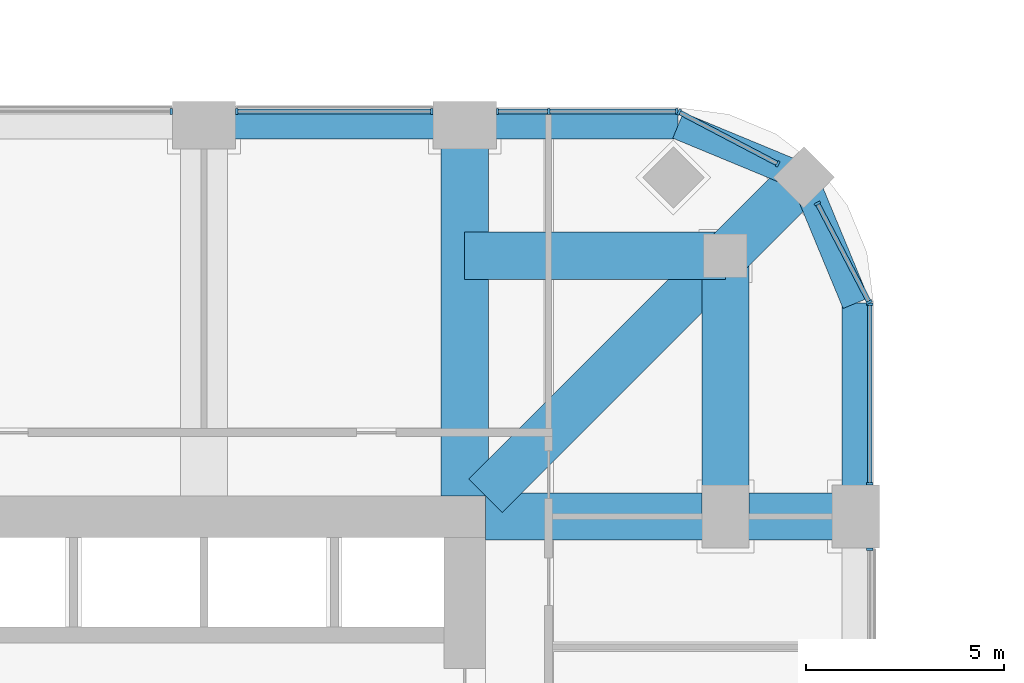
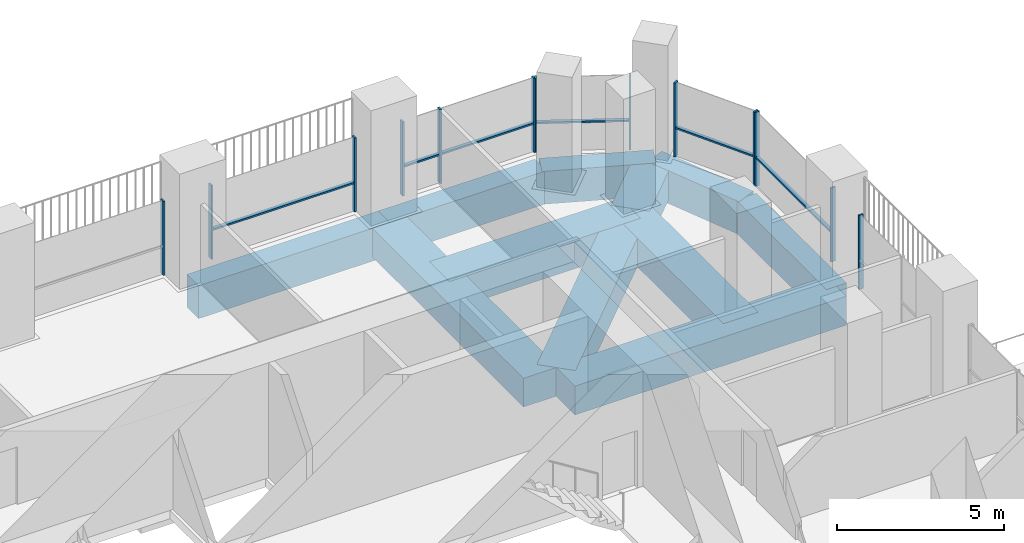
# One storey, part 7 of 20: 19 members, 11 beams, 7 elements without a shape of their own.
"""IFC4 building model written with IfcOpenShell, lengths in metres."""

import ifcopenshell
import ifcopenshell.guid

model = None  # the IFC model being written
_history = None  # IfcOwnerHistory: only IFC2X3 demands one
_inside = {}  # id of a spatial element -> (the spatial element, [elements in it])
_under = {}  # id of a project, library or spatial element -> (it, [spatial elements below it])
_declared = {}  # id of a project -> (the project, [libraries it declares])
_typed = {}  # id of a type object -> (the type object, [elements of that type])
_made_of = {}  # id of a material, layer set ... -> (it, [elements and type objects made of it])


def new_model(schema):
    """Start an empty IFC model of exactly this schema.

    Asked for "IFC4X3", IfcOpenShell would pick the latest addendum, in which some entities
    have other attributes; the version numbers below select the first issue.
    IFC2X3 requires an IfcOwnerHistory on every rooted entity: one is made here for all.
    """
    global model, _history
    if schema == "IFC4X3":
        model = ifcopenshell.file(schema_version=(4, 3, 0, 0))
    else:
        model = ifcopenshell.file(schema=schema)
    _inside.clear()
    _under.clear()
    _declared.clear()
    _typed.clear()
    _made_of.clear()
    _history = None
    if model.schema == "IFC2X3":
        org = make("IfcOrganization", Name="unknown")
        user = make(
            "IfcPersonAndOrganization",
            ThePerson=make("IfcPerson", FamilyName="unknown"),
            TheOrganization=org,
        )
        app = make(
            "IfcApplication",
            ApplicationDeveloper=org,
            Version="unknown",
            ApplicationFullName="unknown",
            ApplicationIdentifier="unknown",
        )
        _history = make(
            "IfcOwnerHistory",
            OwningUser=user,
            OwningApplication=app,
            ChangeAction="ADDED",
            CreationDate=0,
        )
    return model


def make(cls, **values):
    """One entity of the class cls with the attributes given. An attribute that is None is left unset."""
    return model.create_entity(
        cls, **{name: value for name, value in values.items() if value is not None}
    )


def rooted(cls, **values):
    """An entity with a GlobalId (a new one), such as an element, a storey or a relation."""
    return make(cls, GlobalId=ifcopenshell.guid.new(), OwnerHistory=_history, **values)


def si_unit(unit_type, name, prefix=None):
    """IfcSIUnit, for example si_unit("LENGTHUNIT", "METRE", prefix="MILLI")."""
    return make("IfcSIUnit", UnitType=unit_type, Prefix=prefix, Name=name)


def assignment(units):
    """IfcUnitAssignment: the units of a project."""
    return None if units is None else make("IfcUnitAssignment", Units=units)


def point(xyz):
    """IfcCartesianPoint."""
    return None if xyz is None else make("IfcCartesianPoint", Coordinates=xyz)


def direction(xyz):
    """IfcDirection."""
    return None if xyz is None else make("IfcDirection", DirectionRatios=xyz)


def frame(location, z_axis=None, x_axis=None):
    """IfcAxis2Placement3D, a coordinate frame: its origin and axes. An axis left out is left unset."""
    return make(
        "IfcAxis2Placement3D",
        Location=point(location),
        Axis=direction(z_axis),
        RefDirection=direction(x_axis),
    )


def frame_2d(location, x_axis=None):
    """IfcAxis2Placement2D, a coordinate frame in the plane: its origin and x axis."""
    return make(
        "IfcAxis2Placement2D", Location=point(location), RefDirection=direction(x_axis)
    )


def origin():
    """The frame at (0, 0, 0) with its axes left unset."""
    return frame((0.0, 0.0, 0.0))


def origin_2d():
    """The frame at (0, 0) in the plane with its x axis left unset."""
    return frame_2d((0.0, 0.0))


def place(relative_to, where):
    """IfcLocalPlacement: puts the frame where relative to a parent placement (None: the world)."""
    return make(
        "IfcLocalPlacement", PlacementRelTo=relative_to, RelativePlacement=where
    )


def context(
    kind, dimensions, precision=None, world=None, true_north=None, identifier=None
):
    """IfcGeometricRepresentationContext, for example the 3D "Model" context."""
    return make(
        "IfcGeometricRepresentationContext",
        ContextIdentifier=identifier,
        ContextType=kind,
        CoordinateSpaceDimension=dimensions,
        Precision=precision,
        WorldCoordinateSystem=world,
        TrueNorth=true_north,
    )


def subcontext(parent, identifier, kind, view, scale=None):
    """IfcGeometricRepresentationSubContext, for example "Body" below "Model"."""
    return make(
        "IfcGeometricRepresentationSubContext",
        ContextIdentifier=identifier,
        ContextType=kind,
        ParentContext=parent,
        TargetScale=scale,
        TargetView=view,
    )


def project(units=None, contexts=None):
    """IfcProject with its units and contexts."""
    return rooted(
        "IfcProject",
        Name="project",
        RepresentationContexts=contexts,
        UnitsInContext=assignment(units),
    )


def spatial(cls, under=None, at=None, **own):
    """A site, building, storey or space (cls), placed at a placement, below another one or the project."""
    s = rooted(cls, ObjectPlacement=at, **own)
    if under is not None:
        _under.setdefault(under.id(), (under, []))[1].append(s)
    return s


def profile(cls, at=None, kind="AREA", **sizes):
    """A parametric profile (cls). Its sizes go by their IFC names, for example OverallWidth=200.0."""
    return make(cls, ProfileType=kind, Position=at, **sizes)


def rectangle(**sizes):
    """IfcRectangleProfileDef."""
    return profile("IfcRectangleProfileDef", **sizes)


def extrude(swept, where, along, depth):
    """IfcExtrudedAreaSolid: the profile swept, set in the frame where, extruded along a direction by depth."""
    return make(
        "IfcExtrudedAreaSolid",
        SweptArea=swept,
        Position=where,
        ExtrudedDirection=direction(along),
        Depth=depth,
    )


def shape(context_of_items, identifier, shape_type, items):
    """IfcShapeRepresentation: the items that make up one representation, for example the "Body"."""
    return make(
        "IfcShapeRepresentation",
        ContextOfItems=context_of_items,
        RepresentationIdentifier=identifier,
        RepresentationType=shape_type,
        Items=items,
    )


def material(Name=None, Category=None):
    """IfcMaterial."""
    return make("IfcMaterial", Name=Name, Category=Category)


def material_profile(
    of_material, cross_section, Name=None, Category=None, Priority=None
):
    """IfcMaterialProfile: a cross section and its material."""
    return make(
        "IfcMaterialProfile",
        Name=Name,
        Material=of_material,
        Profile=cross_section,
        Priority=Priority,
        Category=Category,
    )


def profile_set(profiles, Name=None, composite=None):
    """IfcMaterialProfileSet."""
    return make(
        "IfcMaterialProfileSet",
        Name=Name,
        MaterialProfiles=profiles,
        CompositeProfile=composite,
    )


def made_of(thing, what):
    """Note that an element or type object is made of a material, layer set ...; save() writes the relation."""
    if what is not None:
        _made_of.setdefault(what.id(), (what, []))[1].append(thing)
    return thing


def type_object(cls, material=None, **own):
    """A type object (cls), such as IfcWallType, which elements share."""
    return made_of(rooted(cls, **own), material)


def element(
    cls,
    number,
    at=None,
    inside=None,
    cuts=None,
    type_object=None,
    material=None,
    context=None,
    identifier="Body",
    shape_type=None,
    held_by="IfcProductDefinitionShape",
    body=None,
    shapes=None,
    **own,
):
    """One element of the class cls, such as IfcWall. Its Tag is "e" and its number.

    at: its placement. inside: the storey or other place that contains it. cuts: it is an
    opening in that element (IfcRelVoidsElement). A single representation is given by context,
    identifier, shape_type and body (its items); several are given by shapes. held_by: the class
    of the entity that holds the representations. save() writes the other relations.
    """
    e = rooted(cls, Tag="e%d" % number, ObjectPlacement=at, **own)
    if body is not None:
        shapes = [shape(context, identifier, shape_type, body)]
    if shapes is not None:
        e.Representation = make(held_by, Representations=shapes)
    if inside is not None:
        _inside.setdefault(inside.id(), (inside, []))[1].append(e)
    if cuts is not None:
        rooted(
            "IfcRelVoidsElement", RelatingBuildingElement=cuts, RelatedOpeningElement=e
        )
    if type_object is not None:
        _typed.setdefault(type_object.id(), (type_object, []))[1].append(e)
    return made_of(e, material)


def aggregate(whole, parts):
    """IfcRelAggregates: a whole, such as a stair, and the parts it consists of."""
    return rooted("IfcRelAggregates", RelatingObject=whole, RelatedObjects=parts)


def save(model, path):
    """Write the relations noted so far, then the file.

    IfcRelAggregates (storeys below a building ...), IfcRelContainedInSpatialStructure (elements
    in a storey), IfcRelDefinesByType, IfcRelAssociatesMaterial and IfcRelDeclares: one each for
    every whole, place, type object, material and project.
    """
    for whole, parts in _under.values():
        aggregate(whole, parts)
    for where, things in _inside.values():
        rooted(
            "IfcRelContainedInSpatialStructure",
            RelatedElements=things,
            RelatingStructure=where,
        )
    for kind, things in _typed.values():
        rooted("IfcRelDefinesByType", RelatedObjects=things, RelatingType=kind)
    for what, things in _made_of.values():
        rooted("IfcRelAssociatesMaterial", RelatedObjects=things, RelatingMaterial=what)
    for by, libraries in _declared.values():
        rooted("IfcRelDeclares", RelatingContext=by, RelatedDefinitions=libraries)
    model.write(path)


model = new_model("IFC4")

# Units and contexts
model_context = context("Model", 3, precision=1e-05, world=origin(), true_north=direction((0.0, 1.0)))
body_context = subcontext(model_context, "Body", "Model", "MODEL_VIEW")
ifc_project = project(units=[si_unit("LENGTHUNIT", "METRE"), si_unit("AREAUNIT", "SQUARE_METRE"), si_unit("VOLUMEUNIT", "CUBIC_METRE"), si_unit("PLANEANGLEUNIT", "RADIAN"), si_unit("MASSUNIT", "GRAM", prefix="KILO")], contexts=[model_context])

# Site, building, storey
site_placement = place(None, origin())
site = spatial("IfcSite", under=ifc_project, at=site_placement, CompositionType="ELEMENT")
building_placement = place(site_placement, origin())
building = spatial("IfcBuilding", under=site, at=building_placement, Name="Cobogo Forest Laboratory Tower", CompositionType="ELEMENT")
storey_placement = place(building_placement, frame((0.0, 0.0, 176.699951171875)))
storey = spatial("IfcBuildingStorey", under=building, at=storey_placement, Name="L40", CompositionType="ELEMENT", Elevation=176.699951171875)

# Beams
ifc_material_1 = material(Name="Concrete HA-40 (C40/50)", Category="concrete")
ifc_material_profile_1 = material_profile(ifc_material_1, rectangle(XDim=1.199951171875, YDim=1.050048828125, at=origin_2d()), Name="RC 1200x1050")
ifc_profile_set_1 = profile_set([ifc_material_profile_1], Name="Concrete HA-40 (C40/50)")
beam_type_1 = type_object("IfcBeamType", Name="Laboratory floor wide beam 1200x1050", PredefinedType="BEAM", material=ifc_profile_set_1)
for number, where, z_axis, x_axis, name in (
    (1, (39.60009765625, 33.52490234375, -0.824951171875), (0.0, 1.0, 0.0), (-1.0, 0.0, 0.0), "RB1 R-7-N L40"),
    (2, (40.125, 33.0, -0.824951171875), (1.0, 0.0, 0.0), (0.0, 1.0, 0.0), "RB1 R-F-E L40"),
):
    element("IfcBeam", number, at=place(storey_placement, frame(where, z_axis=z_axis, x_axis=x_axis)), inside=storey, type_object=beam_type_1, Name=name, PredefinedType="BEAM", context=body_context, shape_type="SweptSolid", body=[
        extrude(rectangle(XDim=1.199951171875, YDim=1.050048828125, at=origin_2d()), origin(), (0.0, 0.0, 1.0), 9.375),
    ])
beam_1_placement = place(storey_placement, frame((46.199951171875, 39.60009765625, -0.824951171875), z_axis=(0.0, -1.0, 0.0), x_axis=(1.0, 0.0, 0.0)))
element("IfcBeam", 3, at=beam_1_placement, inside=storey, type_object=beam_type_1, Name="RB1 G-NE-XC L40", PredefinedType="BEAM", context=body_context, shape_type="SweptSolid", body=[
    extrude(rectangle(XDim=1.199951171875, YDim=1.050048828125, at=origin_2d()), origin(), (0.0, 0.0, 1.0), 6.60009765625),
])
beam_2_placement = place(storey_placement, frame((46.199951171875, 39.60009765625, -0.824951171875), z_axis=(-1.0, 0.0, 0.0), x_axis=(0.0, -1.0, 0.0)))
element("IfcBeam", 4, at=beam_2_placement, inside=storey, type_object=beam_type_1, Name="RB1 G-NE-YC L40", PredefinedType="BEAM", context=body_context, shape_type="SweptSolid", body=[
    extrude(rectangle(XDim=1.199951171875, YDim=1.050048828125, at=origin_2d()), origin(), (0.0, 0.0, 1.0), 6.599853515625),
])
beam_3_placement = place(storey_placement, frame((48.181884765625, 41.58203125, -0.824951171875), z_axis=(-0.707106781187, -0.707106781187, 0.0), x_axis=(0.707106781187, -0.707106781187, 0.0)))
element("IfcBeam", 5, at=beam_3_placement, inside=storey, type_object=beam_type_1, Name="RB1 G-NE-D1 L40", PredefinedType="BEAM", context=body_context, shape_type="SweptSolid", body=[
    extrude(rectangle(XDim=1.199951171875, YDim=1.050048828125, at=origin_2d()), origin(), (0.0, 0.0, 1.0), 2.802978515625),
])
beam_4_placement = place(storey_placement, frame((46.199951171875, 39.60009765625, -0.824951171875), z_axis=(-0.707092572697, -0.70712098939, 0.0), x_axis=(0.70712098939, -0.707092572697, 0.0)))
element("IfcBeam", 6, at=beam_4_placement, inside=storey, type_object=beam_type_1, Name="RB1 G-NE-D2 L40", PredefinedType="BEAM", context=body_context, shape_type="SweptSolid", body=[
    extrude(rectangle(XDim=1.199951171875, YDim=1.050048828125, at=origin_2d()), origin(), (0.0, 0.0, 1.0), 8.591552734375),
])

# Curtain wall, member
ifc_material_2 = material(Name="Aluminium curtain wall", Category="aluminium")
curtain_wall_type = type_object("IfcCurtainWallType", Name="CW-2 unitised curtain wall, solar control glazing, laboratory floors zones C and D", PredefinedType="USERDEFINED", material=ifc_material_2)
curtain_wall_1_placement = place(storey_placement, origin())
curtain_wall_1 = element("IfcCurtainWall", 7, at=curtain_wall_1_placement, inside=storey, type_object=curtain_wall_type, Name="Curtain wall 12 L40", ObjectType="UNITISED CURTAIN WALL", PredefinedType="USERDEFINED")
ifc_material_3 = material(Name="Aluminium mullion", Category="aluminium")
ifc_material_profile_2 = material_profile(ifc_material_3, rectangle(XDim=0.06005859375, YDim=0.159912109375, at=origin_2d()), Name="AL 60x160")
ifc_profile_set_2 = profile_set([ifc_material_profile_2], Name="Aluminium mullion")
member_type_1 = type_object("IfcMemberType", Name="MU-1 aluminium mullion 60x160", PredefinedType="MULLION", material=ifc_profile_set_2)
member_1_placement = place(storey_placement, frame((49.85009765625, 32.169921875, 0.0), z_axis=(0.0, 0.0, 1.0), x_axis=(0.0, 1.0, 0.0)))
member_1 = element("IfcMember", 8, at=member_1_placement, type_object=member_type_1, Name="CW-2 mullion 3", PredefinedType="MULLION", context=body_context, shape_type="SweptSolid", body=[
    extrude(rectangle(XDim=0.06005859375, YDim=0.159912109375, at=origin_2d()), origin(), (0.0, 0.0, 1.0), 2.699951171875),
])
aggregate(curtain_wall_1, [member_1])

# Curtain wall, members
curtain_wall_2_placement = place(storey_placement, origin())
curtain_wall_2 = element("IfcCurtainWall", 9, at=curtain_wall_2_placement, inside=storey, type_object=curtain_wall_type, Name="Curtain wall 13 L40", ObjectType="UNITISED CURTAIN WALL", PredefinedType="USERDEFINED")
member_2_placement = place(storey_placement, frame((49.85009765625, 33.830078125, 0.0), z_axis=(0.0, 0.0, 1.0), x_axis=(0.0, 1.0, 0.0)))
member_2 = element("IfcMember", 10, at=member_2_placement, type_object=member_type_1, Name="CW-2 mullion 1", PredefinedType="MULLION", context=body_context, shape_type="SweptSolid", body=[
    extrude(rectangle(XDim=0.06005859375, YDim=0.159912109375, at=origin_2d()), origin(), (0.0, 0.0, 1.0), 2.699951171875),
])
member_3_placement = place(storey_placement, frame((49.85009765625, 38.3701171875, 0.0), z_axis=(0.0, 0.0, 1.0), x_axis=(0.0, 1.0, 0.0)))
member_3 = element("IfcMember", 11, at=member_3_placement, type_object=member_type_1, Name="CW-2 mullion 2", PredefinedType="MULLION", context=body_context, shape_type="SweptSolid", body=[
    extrude(rectangle(XDim=0.06005859375, YDim=0.159912109375, at=origin_2d()), origin(), (0.0, 0.0, 1.0), 2.699951171875),
])

curtain_wall_3_placement = place(storey_placement, origin())
curtain_wall_3 = element("IfcCurtainWall", 12, at=curtain_wall_3_placement, inside=storey, type_object=curtain_wall_type, Name="Curtain wall 14 L40", ObjectType="UNITISED CURTAIN WALL", PredefinedType="USERDEFINED")
member_4_placement = place(storey_placement, frame((49.836181640625, 38.426513671875, 0.0), z_axis=(0.0, 0.0, 1.0), x_axis=(-0.464283804832, 0.885686484356, 0.0)))
member_4 = element("IfcMember", 13, at=member_4_placement, type_object=member_type_1, Name="CW-2 mullion 1", PredefinedType="MULLION", context=body_context, shape_type="SweptSolid", body=[
    extrude(rectangle(XDim=0.06005859375, YDim=0.159912109375, at=origin_2d()), origin(), (0.0, 0.0, 1.0), 2.699951171875),
])
member_5_placement = place(storey_placement, frame((48.526611328125, 40.924560546875, 0.0), z_axis=(0.0, 0.0, 1.0), x_axis=(-0.464283804832, 0.885686484356, 0.0)))
member_5 = element("IfcMember", 14, at=member_5_placement, type_object=member_type_1, Name="CW-2 mullion 2", PredefinedType="MULLION", context=body_context, shape_type="SweptSolid", body=[
    extrude(rectangle(XDim=0.06005859375, YDim=0.159912109375, at=origin_2d()), origin(), (0.0, 0.0, 1.0), 2.699951171875),
])

curtain_wall_4_placement = place(storey_placement, origin())
curtain_wall_4 = element("IfcCurtainWall", 15, at=curtain_wall_4_placement, inside=storey, type_object=curtain_wall_type, Name="Curtain wall 15 L40", ObjectType="UNITISED CURTAIN WALL", PredefinedType="USERDEFINED")
member_6_placement = place(storey_placement, frame((47.5244140625, 41.9267578125, 0.0), z_axis=(0.0, 0.0, 1.0), x_axis=(-0.885686484356, 0.464283804832, 0.0)))
member_6 = element("IfcMember", 16, at=member_6_placement, type_object=member_type_1, Name="CW-2 mullion 1", PredefinedType="MULLION", context=body_context, shape_type="SweptSolid", body=[
    extrude(rectangle(XDim=0.06005859375, YDim=0.159912109375, at=origin_2d()), origin(), (0.0, 0.0, 1.0), 2.699951171875),
])
member_7_placement = place(storey_placement, frame((45.026611328125, 43.236083984375, 0.0), z_axis=(0.0, 0.0, 1.0), x_axis=(-0.885686484356, 0.464283804832, 0.0)))
member_7 = element("IfcMember", 17, at=member_7_placement, type_object=member_type_1, Name="CW-2 mullion 2", PredefinedType="MULLION", context=body_context, shape_type="SweptSolid", body=[
    extrude(rectangle(XDim=0.06005859375, YDim=0.159912109375, at=origin_2d()), origin(), (0.0, 0.0, 1.0), 2.699951171875),
])

curtain_wall_5_placement = place(storey_placement, origin())
curtain_wall_5 = element("IfcCurtainWall", 18, at=curtain_wall_5_placement, inside=storey, type_object=curtain_wall_type, Name="Curtain wall 16 L40", ObjectType="UNITISED CURTAIN WALL", PredefinedType="USERDEFINED")
member_8_placement = place(storey_placement, frame((44.969970703125, 43.25, 0.0), z_axis=(0.0, 0.0, 1.0), x_axis=(-1.0, 0.0, 0.0)))
member_8 = element("IfcMember", 19, at=member_8_placement, type_object=member_type_1, Name="CW-2 mullion 1", PredefinedType="MULLION", context=body_context, shape_type="SweptSolid", body=[
    extrude(rectangle(XDim=0.06005859375, YDim=0.159912109375, at=origin_2d()), origin(), (0.0, 0.0, 1.0), 2.699951171875),
])
member_9_placement = place(storey_placement, frame((41.72509765625, 43.25, 0.0), z_axis=(0.0, 0.0, 1.0), x_axis=(-1.0, 0.0, 0.0)))
member_9 = element("IfcMember", 20, at=member_9_placement, type_object=member_type_1, Name="CW-2 mullion 2", PredefinedType="MULLION", context=body_context, shape_type="SweptSolid", body=[
    extrude(rectangle(XDim=0.06005859375, YDim=0.159912109375, at=origin_2d()), origin(), (0.0, 0.0, 1.0), 2.699951171875),
])
member_10_placement = place(storey_placement, frame((40.429931640625, 43.25, 0.0), z_axis=(0.0, 0.0, 1.0), x_axis=(-1.0, 0.0, 0.0)))
member_10 = element("IfcMember", 21, at=member_10_placement, type_object=member_type_1, Name="CW-2 mullion 3", PredefinedType="MULLION", context=body_context, shape_type="SweptSolid", body=[
    extrude(rectangle(XDim=0.06005859375, YDim=0.159912109375, at=origin_2d()), origin(), (0.0, 0.0, 1.0), 2.699951171875),
])

curtain_wall_6_placement = place(storey_placement, origin())
curtain_wall_6 = element("IfcCurtainWall", 22, at=curtain_wall_6_placement, inside=storey, type_object=curtain_wall_type, Name="Curtain wall 17 L40", ObjectType="UNITISED CURTAIN WALL", PredefinedType="USERDEFINED")
member_11_placement = place(storey_placement, frame((38.77001953125, 43.25, 0.0), z_axis=(0.0, 0.0, 1.0), x_axis=(-1.0, 0.0, 0.0)))
member_11 = element("IfcMember", 23, at=member_11_placement, type_object=member_type_1, Name="CW-2 mullion 1", PredefinedType="MULLION", context=body_context, shape_type="SweptSolid", body=[
    extrude(rectangle(XDim=0.06005859375, YDim=0.159912109375, at=origin_2d()), origin(), (0.0, 0.0, 1.0), 2.699951171875),
])
member_12_placement = place(storey_placement, frame((33.830078125, 43.25, 0.0), z_axis=(0.0, 0.0, 1.0), x_axis=(-1.0, 0.0, 0.0)))
member_12 = element("IfcMember", 24, at=member_12_placement, type_object=member_type_1, Name="CW-2 mullion 2", PredefinedType="MULLION", context=body_context, shape_type="SweptSolid", body=[
    extrude(rectangle(XDim=0.06005859375, YDim=0.159912109375, at=origin_2d()), origin(), (0.0, 0.0, 1.0), 2.699951171875),
])

# Curtain wall, member
curtain_wall_7_placement = place(storey_placement, origin())
curtain_wall_7 = element("IfcCurtainWall", 25, at=curtain_wall_7_placement, inside=storey, type_object=curtain_wall_type, Name="Curtain wall 18 L40", ObjectType="UNITISED CURTAIN WALL", PredefinedType="USERDEFINED")
member_13_placement = place(storey_placement, frame((32.169921875, 43.25, 0.0), z_axis=(0.0, 0.0, 1.0), x_axis=(-1.0, 0.0, 0.0)))
member_13 = element("IfcMember", 26, at=member_13_placement, type_object=member_type_1, Name="CW-2 mullion 1", PredefinedType="MULLION", context=body_context, shape_type="SweptSolid", body=[
    extrude(rectangle(XDim=0.06005859375, YDim=0.159912109375, at=origin_2d()), origin(), (0.0, 0.0, 1.0), 2.699951171875),
])
aggregate(curtain_wall_7, [member_13])

# Beams
ifc_material_profile_3 = material_profile(ifc_material_1, rectangle(XDim=0.699951171875, YDim=1.199951171875, at=origin_2d()), Name="RC 700x1200")
ifc_profile_set_3 = profile_set([ifc_material_profile_3], Name="Concrete HA-40 (C40/50)")
beam_type_2 = type_object("IfcBeamType", Name="Perimeter edge beam 700x1200", PredefinedType="BEAM", material=ifc_profile_set_3)
beam_5_placement = place(storey_placement, frame((33.0, 42.89990234375, -0.89990234375), z_axis=(1.0, 0.0, 0.0), x_axis=(0.0, 1.0, 0.0)))
element("IfcBeam", 27, at=beam_5_placement, inside=storey, type_object=beam_type_2, Name="EB1 E-N4 L40", PredefinedType="BEAM", context=body_context, shape_type="SweptSolid", body=[
    extrude(rectangle(XDim=0.699951171875, YDim=1.199951171875, at=origin_2d()), origin(), (0.0, 0.0, 1.0), 6.60009765625),
])
beam_6_placement = place(storey_placement, frame((49.5, 33.0, -0.89990234375), z_axis=(0.0, 1.0, 0.0), x_axis=(-1.0, 0.0, 0.0)))
element("IfcBeam", 28, at=beam_6_placement, inside=storey, type_object=beam_type_2, Name="EB1 E-NEE1 L40", PredefinedType="BEAM", context=body_context, shape_type="SweptSolid", body=[
    extrude(rectangle(XDim=0.699951171875, YDim=1.199951171875, at=origin_2d()), origin(), (0.0, 0.0, 1.0), 5.39990234375),
])
beam_7_placement = place(storey_placement, frame((49.5, 38.39990234375, -0.89990234375), z_axis=(-0.382691928466, 0.923876013265, 0.0), x_axis=(-0.923876013265, -0.382691928466, 0.0)))
element("IfcBeam", 29, at=beam_7_placement, inside=storey, type_object=beam_type_2, Name="EB1 E-NEE2 L40", PredefinedType="BEAM", context=body_context, shape_type="SweptSolid", body=[
    extrude(rectangle(XDim=0.699951171875, YDim=1.199951171875, at=origin_2d()), origin(), (0.0, 0.0, 1.0), 3.4443359375),
])
beam_8_placement = place(storey_placement, frame((39.60009765625, 42.89990234375, -0.89990234375), z_axis=(1.0, 0.0, 0.0), x_axis=(0.0, 1.0, 0.0)))
element("IfcBeam", 30, at=beam_8_placement, inside=storey, type_object=beam_type_2, Name="EB1 E-NEN1 L40", PredefinedType="BEAM", context=body_context, shape_type="SweptSolid", body=[
    extrude(rectangle(XDim=0.699951171875, YDim=1.199951171875, at=origin_2d()), origin(), (0.0, 0.0, 1.0), 5.39990234375),
])
beam_9_placement = place(storey_placement, frame((45.0, 42.89990234375, -0.89990234375), z_axis=(0.923890694089, -0.382656484822, 0.0), x_axis=(0.382656484822, 0.923890694089, 0.0)))
element("IfcBeam", 31, at=beam_9_placement, inside=storey, type_object=beam_type_2, Name="EB1 E-NEN2 L40", PredefinedType="BEAM", context=body_context, shape_type="SweptSolid", body=[
    extrude(rectangle(XDim=0.699951171875, YDim=1.199951171875, at=origin_2d()), origin(), (0.0, 0.0, 1.0), 3.444091796875),
])

# Member
ifc_material_4 = material(Name="Aluminium transom", Category="aluminium")
ifc_material_profile_4 = material_profile(ifc_material_4, rectangle(XDim=0.1201171875, YDim=0.06005859375, at=origin_2d()), Name="AL 60x120")
ifc_profile_set_4 = profile_set([ifc_material_profile_4], Name="Aluminium transom")
member_type_2 = type_object("IfcMemberType", Name="TR-1 aluminium transom 60x120", PredefinedType="USERDEFINED", material=ifc_profile_set_4)
member_14_placement = place(storey_placement, frame((49.85009765625, 33.860107421875, 1.050048828125), z_axis=(0.0, 1.0, 0.0), x_axis=(-1.0, 0.0, 0.0)))
member_14 = element("IfcMember", 32, at=member_14_placement, type_object=member_type_2, Name="CW-2 transom 1.1", ObjectType="TRANSOM", PredefinedType="USERDEFINED", context=body_context, shape_type="SweptSolid", body=[
    extrude(rectangle(XDim=0.1201171875, YDim=0.06005859375, at=origin_2d()), origin(), (0.0, 0.0, 1.0), 4.47998046875),
])

aggregate(curtain_wall_2, [member_2, member_3, member_14])

member_15_placement = place(storey_placement, frame((49.822021484375, 38.453125, 1.050048828125), z_axis=(-0.464254846591, 0.88570166389, 0.0), x_axis=(-0.88570166389, -0.464254846591, 0.0)))
member_15 = element("IfcMember", 33, at=member_15_placement, type_object=member_type_2, Name="CW-2 transom 1.1", ObjectType="TRANSOM", PredefinedType="USERDEFINED", context=body_context, shape_type="SweptSolid", body=[
    extrude(rectangle(XDim=0.1201171875, YDim=0.06005859375, at=origin_2d()), origin(), (0.0, 0.0, 1.0), 2.76025390625),
])

aggregate(curtain_wall_3, [member_4, member_5, member_15])

member_16_placement = place(storey_placement, frame((47.497802734375, 41.940673828125, 1.050048828125), z_axis=(-0.885682598583, 0.464291217414, 0.0), x_axis=(-0.464291217414, -0.885682598583, 0.0)))
member_16 = element("IfcMember", 34, at=member_16_placement, type_object=member_type_2, Name="CW-2 transom 1.1", ObjectType="TRANSOM", PredefinedType="USERDEFINED", context=body_context, shape_type="SweptSolid", body=[
    extrude(rectangle(XDim=0.1201171875, YDim=0.06005859375, at=origin_2d()), origin(), (0.0, 0.0, 1.0), 2.760009765625),
])

aggregate(curtain_wall_4, [member_6, member_7, member_16])

member_17_placement = place(storey_placement, frame((44.93994140625, 43.25, 1.050048828125), z_axis=(-1.0, 0.0, 0.0), x_axis=(0.0, -1.0, 0.0)))
member_17 = element("IfcMember", 35, at=member_17_placement, type_object=member_type_2, Name="CW-2 transom 1.1", ObjectType="TRANSOM", PredefinedType="USERDEFINED", context=body_context, shape_type="SweptSolid", body=[
    extrude(rectangle(XDim=0.1201171875, YDim=0.06005859375, at=origin_2d()), origin(), (0.0, 0.0, 1.0), 3.18505859375),
])

member_18_placement = place(storey_placement, frame((41.695068359375, 43.25, 1.050048828125), z_axis=(-1.0, 0.0, 0.0), x_axis=(0.0, -1.0, 0.0)))
member_18 = element("IfcMember", 36, at=member_18_placement, type_object=member_type_2, Name="CW-2 transom 2.1", ObjectType="TRANSOM", PredefinedType="USERDEFINED", context=body_context, shape_type="SweptSolid", body=[
    extrude(rectangle(XDim=0.1201171875, YDim=0.06005859375, at=origin_2d()), origin(), (0.0, 0.0, 1.0), 1.235107421875),
])

aggregate(curtain_wall_5, [member_8, member_9, member_10, member_17, member_18])

member_19_placement = place(storey_placement, frame((38.739990234375, 43.25, 1.050048828125), z_axis=(-1.0, 0.0, 0.0), x_axis=(0.0, -1.0, 0.0)))
member_19 = element("IfcMember", 37, at=member_19_placement, type_object=member_type_2, Name="CW-2 transom 1.1", ObjectType="TRANSOM", PredefinedType="USERDEFINED", context=body_context, shape_type="SweptSolid", body=[
    extrude(rectangle(XDim=0.1201171875, YDim=0.06005859375, at=origin_2d()), origin(), (0.0, 0.0, 1.0), 4.8798828125),
])

aggregate(curtain_wall_6, [member_11, member_12, member_19])

save(model, "model.ifc")
